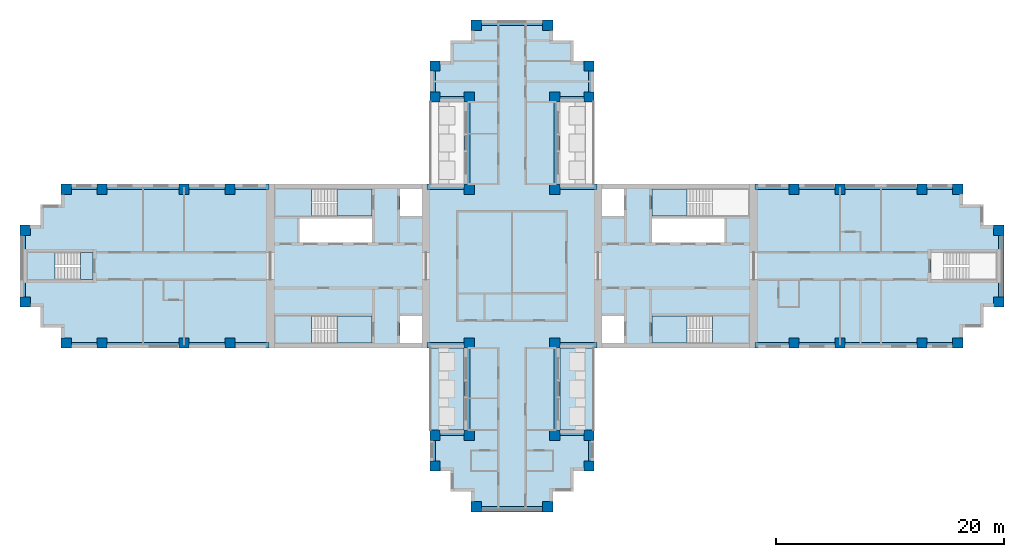
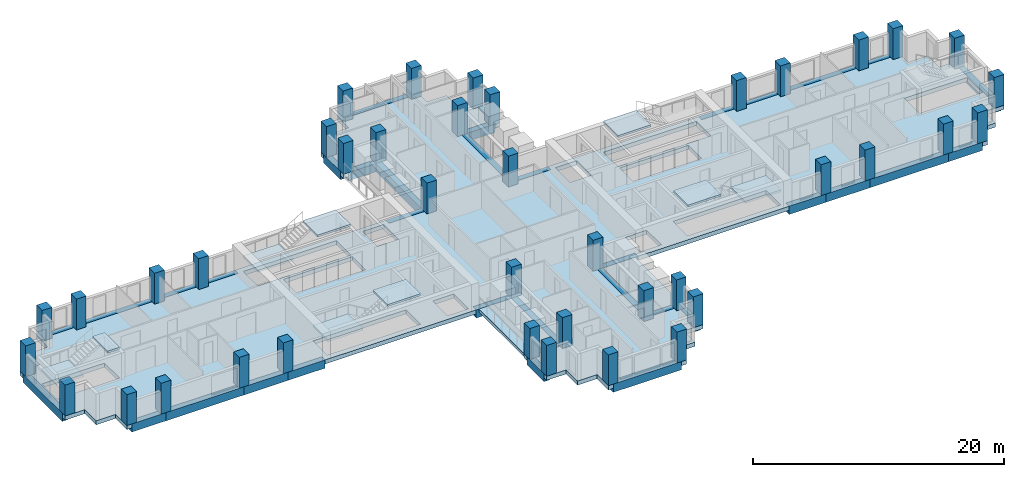
# One storey, part 1 of 12: 40 columns, 36 beams, 12 slabs, 5 elements without a shape of their own.
"""IFC4 building model written with IfcOpenShell, lengths in metres."""

from ifc_helpers import new_model, si_unit, direction, frame, origin, origin_2d, place, context, subcontext, project, spatial, polyline, rectangle, outline, extrude, material, layer, layer_set, material_profile, profile_set, type_object, element, aggregate, save


model = new_model("IFC4")

# Units and contexts
model_context = context("Model", 3, precision=1e-05, world=origin(), true_north=direction((0.0, 1.0)))
body_context = subcontext(model_context, "Body", "Model", "MODEL_VIEW")
ifc_project = project(units=[si_unit("LENGTHUNIT", "METRE"), si_unit("AREAUNIT", "SQUARE_METRE"), si_unit("VOLUMEUNIT", "CUBIC_METRE"), si_unit("PLANEANGLEUNIT", "RADIAN"), si_unit("MASSUNIT", "GRAM", prefix="KILO")], contexts=[model_context])

# Site, building, storey
site_placement = place(None, origin())
site = spatial("IfcSite", under=ifc_project, at=site_placement, CompositionType="ELEMENT")
building_placement = place(site_placement, origin())
building = spatial("IfcBuilding", under=site, at=building_placement, Name="Fustian Cross Tower", CompositionType="ELEMENT")
storey_placement = place(building_placement, frame((0.0, 0.0, 156.300048828125)))
storey = spatial("IfcBuildingStorey", under=building, at=storey_placement, Name="L49", CompositionType="ELEMENT", Elevation=156.300048828125)

# Columns
ifc_material_1 = material(Name="Concrete C50/60", Category="concrete")
ifc_material_profile_1 = material_profile(ifc_material_1, rectangle(XDim=0.89990234375, YDim=0.89990234375, at=origin_2d()), Name="RC 900x900")
ifc_profile_set_1 = profile_set([ifc_material_profile_1], Name="Concrete C50/60")
column_type = type_object("IfcColumnType", Name="COLUMN RC 900x900 C50/60", PredefinedType="COLUMN", material=ifc_profile_set_1)
for number, where, z_axis, x_axis, name in (
    (1, (-42.75, -3.14990234375, 0.0), (0.0, 0.0, 1.0), (1.0, 0.0, 0.0), "COLUMN 001"),
    (2, (-42.75, 3.14990234375, 0.0), (0.0, 0.0, 1.0), (1.0, 0.0, 0.0), "COLUMN 002"),
    (3, (-39.14990234375, -6.75, 0.0), (0.0, 0.0, 1.0), (1.0, 0.0, 0.0), "COLUMN 003"),
    (4, (-39.14990234375, 6.75, 0.0), (0.0, 0.0, 1.0), (1.0, 0.0, 0.0), "COLUMN 004"),
    (5, (-36.0, -6.75, 0.0), (0.0, 0.0, 1.0), (1.0, 0.0, 0.0), "COLUMN 005"),
    (6, (-36.0, 6.75, 0.0), (0.0, 0.0, 1.0), (1.0, 0.0, 0.0), "COLUMN 006"),
    (7, (-28.800048828125, -6.75, 0.0), (0.0, 0.0, 1.0), (1.0, 0.0, 0.0), "COLUMN 007"),
    (8, (-28.800048828125, 6.75, 0.0), (0.0, 0.0, 1.0), (1.0, 0.0, 0.0), "COLUMN 010"),
    (9, (-24.75, -6.75, 0.0), (0.0, 0.0, 1.0), (1.0, 0.0, 0.0), "COLUMN 011"),
    (10, (-24.75, 6.75, 0.0), (0.0, 0.0, 1.0), (1.0, 0.0, 0.0), "COLUMN 012"),
    (11, (-6.75, -17.550048828125, 0.0), (0.0, 0.0, 1.0), (1.0, 0.0, 0.0), "COLUMN 017"),
    (12, (-6.75, -14.85009765625, 0.0), (0.0, 0.0, 1.0), (1.0, 0.0, 0.0), "COLUMN 018"),
    (13, (-6.75, 14.85009765625, 0.0), (0.0, 0.0, 1.0), (1.0, 0.0, 0.0), "COLUMN 019"),
    (14, (-6.75, 17.550048828125, 0.0), (0.0, 0.0, 1.0), (1.0, 0.0, 0.0), "COLUMN 020"),
    (15, (-3.75, -14.85009765625, 0.0), (0.0, 0.0, 1.0), (1.0, 0.0, 0.0), "COLUMN 025"),
    (16, (-3.75, -6.75, 0.0), (0.0, 0.0, 1.0), (1.0, 0.0, 0.0), "COLUMN 026"),
    (17, (-3.75, 6.75, 0.0), (0.0, 0.0, 1.0), (1.0, 0.0, 0.0), "COLUMN 027"),
    (18, (-3.75, 14.85009765625, 0.0), (0.0, 0.0, 1.0), (1.0, 0.0, 0.0), "COLUMN 028"),
    (19, (-3.14990234375, -21.14990234375, 0.0), (0.0, 0.0, 1.0), (1.0, 0.0, 0.0), "COLUMN 030"),
    (20, (-3.14990234375, 21.14990234375, 0.0), (0.0, 0.0, 1.0), (1.0, 0.0, 0.0), "COLUMN 031"),
    (21, (3.14990234375, -21.14990234375, 0.0), (0.0, 0.0, 1.0), (1.0, 0.0, 0.0), "COLUMN 034"),
    (22, (3.14990234375, 21.14990234375, 0.0), (0.0, 0.0, 1.0), (1.0, 0.0, 0.0), "COLUMN 035"),
    (23, (3.75, -14.85009765625, 0.0), (0.0, 0.0, 1.0), (1.0, 0.0, 0.0), "COLUMN 037"),
    (24, (3.75, -6.75, 0.0), (0.0, 0.0, 1.0), (1.0, 0.0, 0.0), "COLUMN 038"),
    (25, (3.75, 6.75, 0.0), (0.0, 0.0, 1.0), (1.0, 0.0, 0.0), "COLUMN 039"),
    (26, (3.75, 14.85009765625, 0.0), (0.0, 0.0, 1.0), (1.0, 0.0, 0.0), "COLUMN 040"),
    (27, (6.75, -17.550048828125, 0.0), (0.0, 0.0, 1.0), (1.0, 0.0, 0.0), "COLUMN 045"),
    (28, (6.75, -14.85009765625, 0.0), (0.0, 0.0, 1.0), (1.0, 0.0, 0.0), "COLUMN 046"),
    (29, (6.75, 14.85009765625, 0.0), (0.0, 0.0, 1.0), (1.0, 0.0, 0.0), "COLUMN 047"),
    (30, (6.75, 17.550048828125, 0.0), (0.0, 0.0, 1.0), (1.0, 0.0, 0.0), "COLUMN 048"),
    (31, (24.75, -6.75, 0.0), (0.0, 0.0, 1.0), (1.0, 0.0, 0.0), "COLUMN 053"),
    (32, (24.75, 6.75, 0.0), (0.0, 0.0, 1.0), (1.0, 0.0, 0.0), "COLUMN 054"),
    (33, (28.800048828125, -6.75, 0.0), (0.0, 0.0, 1.0), (1.0, 0.0, 0.0), "COLUMN 055"),
    (34, (28.800048828125, 6.75, 0.0), (0.0, 0.0, 1.0), (1.0, 0.0, 0.0), "COLUMN 058"),
    (35, (36.0, -6.75, 0.0), (0.0, 0.0, 1.0), (1.0, 0.0, 0.0), "COLUMN 059"),
    (36, (36.0, 6.75, 0.0), (0.0, 0.0, 1.0), (1.0, 0.0, 0.0), "COLUMN 060"),
    (37, (39.14990234375, -6.75, 0.0), (0.0, 0.0, 1.0), (1.0, 0.0, 0.0), "COLUMN 061"),
    (38, (39.14990234375, 6.75, 0.0), (0.0, 0.0, 1.0), (1.0, 0.0, 0.0), "COLUMN 062"),
    (39, (42.75, -3.14990234375, 0.0), (0.0, 0.0, 1.0), (1.0, 0.0, 0.0), "COLUMN 063"),
    (40, (42.75, 3.14990234375, 0.0), (0.0, 0.0, 1.0), (1.0, 0.0, 0.0), "COLUMN 064"),
):
    element("IfcColumn", number, at=place(storey_placement, frame(where, z_axis=z_axis, x_axis=x_axis)), inside=storey, type_object=column_type, Name=name, PredefinedType="COLUMN", context=body_context, shape_type="SweptSolid", body=[
        extrude(rectangle(XDim=0.89990234375, YDim=0.89990234375, at=origin_2d()), origin(), (0.0, 0.0, 1.0), 3.0),
    ])

# Beams
ifc_material_2 = material(Name="Concrete C50/60", Category="concrete")
ifc_material_profile_2 = material_profile(ifc_material_2, rectangle(XDim=0.5, YDim=0.800048828125, at=origin_2d()), Name="RC 500x800")
ifc_profile_set_2 = profile_set([ifc_material_profile_2], Name="Concrete C50/60")
beam_type = type_object("IfcBeamType", Name="EDGE BEAM RC 500x800 C50/60", PredefinedType="SPANDREL", material=ifc_profile_set_2)
beam_1_placement = place(storey_placement, frame((21.35009765625, -6.949951171875, -0.400146484375), z_axis=(1.0, 0.0, 0.0), x_axis=(0.0, 1.0, 0.0)))
element("IfcBeam", 41, at=beam_1_placement, inside=storey, type_object=beam_type, Name="EDGE BEAM L49-01", PredefinedType="SPANDREL", context=body_context, shape_type="SweptSolid", body=[
    extrude(rectangle(XDim=0.5, YDim=0.800048828125, at=origin_2d()), origin(), (0.0, 0.0, 1.0), 3.39990234375),
])
beam_2_placement = place(storey_placement, frame((24.75, -6.949951171875, -0.400146484375), z_axis=(1.0, 0.0, 0.0), x_axis=(0.0, 1.0, 0.0)))
element("IfcBeam", 42, at=beam_2_placement, inside=storey, type_object=beam_type, Name="EDGE BEAM L49-02", PredefinedType="SPANDREL", context=body_context, shape_type="SweptSolid", body=[
    extrude(rectangle(XDim=0.5, YDim=0.800048828125, at=origin_2d()), origin(), (0.0, 0.0, 1.0), 4.050048828125),
])
beam_3_placement = place(storey_placement, frame((28.800048828125, -6.949951171875, -0.400146484375), z_axis=(1.0, 0.0, 0.0), x_axis=(0.0, 1.0, 0.0)))
element("IfcBeam", 43, at=beam_3_placement, inside=storey, type_object=beam_type, Name="EDGE BEAM L49-03", PredefinedType="SPANDREL", context=body_context, shape_type="SweptSolid", body=[
    extrude(rectangle(XDim=0.5, YDim=0.800048828125, at=origin_2d()), origin(), (0.0, 0.0, 1.0), 7.199951171875),
])
beam_4_placement = place(storey_placement, frame((36.0, -6.949951171875, -0.400146484375), z_axis=(1.0, 0.0, 0.0), x_axis=(0.0, 1.0, 0.0)))
element("IfcBeam", 44, at=beam_4_placement, inside=storey, type_object=beam_type, Name="EDGE BEAM L49-04", PredefinedType="SPANDREL", context=body_context, shape_type="SweptSolid", body=[
    extrude(rectangle(XDim=0.5, YDim=0.800048828125, at=origin_2d()), origin(), (0.0, 0.0, 1.0), 3.14990234375),
])
beam_5_placement = place(storey_placement, frame((42.949951171875, -3.14990234375, -0.400146484375), z_axis=(0.0, 1.0, 0.0), x_axis=(-1.0, 0.0, 0.0)))
element("IfcBeam", 45, at=beam_5_placement, inside=storey, type_object=beam_type, Name="EDGE BEAM L49-05", PredefinedType="SPANDREL", context=body_context, shape_type="SweptSolid", body=[
    extrude(rectangle(XDim=0.5, YDim=0.800048828125, at=origin_2d()), origin(), (0.0, 0.0, 1.0), 6.2998046875),
])
beam_6_placement = place(storey_placement, frame((39.14990234375, 6.949951171875, -0.400146484375), z_axis=(-1.0, 0.0, 0.0), x_axis=(0.0, -1.0, 0.0)))
element("IfcBeam", 46, at=beam_6_placement, inside=storey, type_object=beam_type, Name="EDGE BEAM L49-06", PredefinedType="SPANDREL", context=body_context, shape_type="SweptSolid", body=[
    extrude(rectangle(XDim=0.5, YDim=0.800048828125, at=origin_2d()), origin(), (0.0, 0.0, 1.0), 3.14990234375),
])
beam_7_placement = place(storey_placement, frame((36.0, 6.949951171875, -0.400146484375), z_axis=(-1.0, 0.0, 0.0), x_axis=(0.0, -1.0, 0.0)))
element("IfcBeam", 47, at=beam_7_placement, inside=storey, type_object=beam_type, Name="EDGE BEAM L49-07", PredefinedType="SPANDREL", context=body_context, shape_type="SweptSolid", body=[
    extrude(rectangle(XDim=0.5, YDim=0.800048828125, at=origin_2d()), origin(), (0.0, 0.0, 1.0), 7.199951171875),
])
beam_8_placement = place(storey_placement, frame((28.800048828125, 6.949951171875, -0.400146484375), z_axis=(-1.0, 0.0, 0.0), x_axis=(0.0, -1.0, 0.0)))
element("IfcBeam", 48, at=beam_8_placement, inside=storey, type_object=beam_type, Name="EDGE BEAM L49-08", PredefinedType="SPANDREL", context=body_context, shape_type="SweptSolid", body=[
    extrude(rectangle(XDim=0.5, YDim=0.800048828125, at=origin_2d()), origin(), (0.0, 0.0, 1.0), 4.050048828125),
])
beam_9_placement = place(storey_placement, frame((24.75, 6.949951171875, -0.400146484375), z_axis=(-1.0, 0.0, 0.0), x_axis=(0.0, -1.0, 0.0)))
element("IfcBeam", 49, at=beam_9_placement, inside=storey, type_object=beam_type, Name="EDGE BEAM L49-09", PredefinedType="SPANDREL", context=body_context, shape_type="SweptSolid", body=[
    extrude(rectangle(XDim=0.5, YDim=0.800048828125, at=origin_2d()), origin(), (0.0, 0.0, 1.0), 3.39990234375),
])
beam_10_placement = place(storey_placement, frame((7.449951171875, 6.949951171875, -0.400146484375), z_axis=(-1.0, 0.0, 0.0), x_axis=(0.0, -1.0, 0.0)))
element("IfcBeam", 50, at=beam_10_placement, inside=storey, type_object=beam_type, Name="EDGE BEAM L49-10", PredefinedType="SPANDREL", context=body_context, shape_type="SweptSolid", body=[
    extrude(rectangle(XDim=0.5, YDim=0.800048828125, at=origin_2d()), origin(), (0.0, 0.0, 1.0), 3.699951171875),
])
beam_11_placement = place(storey_placement, frame((3.949951171875, 6.75, -0.400146484375), z_axis=(0.0, 1.0, 0.0), x_axis=(-1.0, 0.0, 0.0)))
element("IfcBeam", 51, at=beam_11_placement, inside=storey, type_object=beam_type, Name="EDGE BEAM L49-11", PredefinedType="SPANDREL", context=body_context, shape_type="SweptSolid", body=[
    extrude(rectangle(XDim=0.5, YDim=0.800048828125, at=origin_2d()), origin(), (0.0, 0.0, 1.0), 8.10009765625),
])
beam_12_placement = place(storey_placement, frame((3.75, 14.64990234375, -0.400146484375), z_axis=(1.0, 0.0, 0.0), x_axis=(0.0, 1.0, 0.0)))
element("IfcBeam", 52, at=beam_12_placement, inside=storey, type_object=beam_type, Name="EDGE BEAM L49-12", PredefinedType="SPANDREL", context=body_context, shape_type="SweptSolid", body=[
    extrude(rectangle(XDim=0.5, YDim=0.800048828125, at=origin_2d()), origin(), (0.0, 0.0, 1.0), 3.0),
])
beam_13_placement = place(storey_placement, frame((6.949951171875, 14.85009765625, -0.400146484375), z_axis=(0.0, 1.0, 0.0), x_axis=(-1.0, 0.0, 0.0)))
element("IfcBeam", 53, at=beam_13_placement, inside=storey, type_object=beam_type, Name="EDGE BEAM L49-13", PredefinedType="SPANDREL", context=body_context, shape_type="SweptSolid", body=[
    extrude(rectangle(XDim=0.5, YDim=0.800048828125, at=origin_2d()), origin(), (0.0, 0.0, 1.0), 2.699951171875),
])
beam_14_placement = place(storey_placement, frame((3.14990234375, 21.35009765625, -0.400146484375), z_axis=(-1.0, 0.0, 0.0), x_axis=(0.0, -1.0, 0.0)))
element("IfcBeam", 54, at=beam_14_placement, inside=storey, type_object=beam_type, Name="EDGE BEAM L49-14", PredefinedType="SPANDREL", context=body_context, shape_type="SweptSolid", body=[
    extrude(rectangle(XDim=0.5, YDim=0.800048828125, at=origin_2d()), origin(), (0.0, 0.0, 1.0), 6.2998046875),
])
beam_15_placement = place(storey_placement, frame((-6.949951171875, 17.550048828125, -0.400146484375), z_axis=(0.0, -1.0, 0.0), x_axis=(1.0, 0.0, 0.0)))
element("IfcBeam", 55, at=beam_15_placement, inside=storey, type_object=beam_type, Name="EDGE BEAM L49-15", PredefinedType="SPANDREL", context=body_context, shape_type="SweptSolid", body=[
    extrude(rectangle(XDim=0.5, YDim=0.800048828125, at=origin_2d()), origin(), (0.0, 0.0, 1.0), 2.699951171875),
])
beam_16_placement = place(storey_placement, frame((-6.75, 14.64990234375, -0.400146484375), z_axis=(1.0, 0.0, 0.0), x_axis=(0.0, 1.0, 0.0)))
element("IfcBeam", 56, at=beam_16_placement, inside=storey, type_object=beam_type, Name="EDGE BEAM L49-16", PredefinedType="SPANDREL", context=body_context, shape_type="SweptSolid", body=[
    extrude(rectangle(XDim=0.5, YDim=0.800048828125, at=origin_2d()), origin(), (0.0, 0.0, 1.0), 3.0),
])
beam_17_placement = place(storey_placement, frame((-3.949951171875, 14.85009765625, -0.400146484375), z_axis=(0.0, -1.0, 0.0), x_axis=(1.0, 0.0, 0.0)))
element("IfcBeam", 57, at=beam_17_placement, inside=storey, type_object=beam_type, Name="EDGE BEAM L49-17", PredefinedType="SPANDREL", context=body_context, shape_type="SweptSolid", body=[
    extrude(rectangle(XDim=0.5, YDim=0.800048828125, at=origin_2d()), origin(), (0.0, 0.0, 1.0), 8.10009765625),
])
beam_18_placement = place(storey_placement, frame((-3.75, 6.949951171875, -0.400146484375), z_axis=(-1.0, 0.0, 0.0), x_axis=(0.0, -1.0, 0.0)))
element("IfcBeam", 58, at=beam_18_placement, inside=storey, type_object=beam_type, Name="EDGE BEAM L49-18", PredefinedType="SPANDREL", context=body_context, shape_type="SweptSolid", body=[
    extrude(rectangle(XDim=0.5, YDim=0.800048828125, at=origin_2d()), origin(), (0.0, 0.0, 1.0), 3.699951171875),
])
beam_19_placement = place(storey_placement, frame((-21.35009765625, 6.949951171875, -0.400146484375), z_axis=(-1.0, 0.0, 0.0), x_axis=(0.0, -1.0, 0.0)))
element("IfcBeam", 59, at=beam_19_placement, inside=storey, type_object=beam_type, Name="EDGE BEAM L49-19", PredefinedType="SPANDREL", context=body_context, shape_type="SweptSolid", body=[
    extrude(rectangle(XDim=0.5, YDim=0.800048828125, at=origin_2d()), origin(), (0.0, 0.0, 1.0), 3.39990234375),
])
beam_20_placement = place(storey_placement, frame((-24.75, 6.949951171875, -0.400146484375), z_axis=(-1.0, 0.0, 0.0), x_axis=(0.0, -1.0, 0.0)))
element("IfcBeam", 60, at=beam_20_placement, inside=storey, type_object=beam_type, Name="EDGE BEAM L49-20", PredefinedType="SPANDREL", context=body_context, shape_type="SweptSolid", body=[
    extrude(rectangle(XDim=0.5, YDim=0.800048828125, at=origin_2d()), origin(), (0.0, 0.0, 1.0), 4.050048828125),
])
beam_21_placement = place(storey_placement, frame((-28.800048828125, 6.949951171875, -0.400146484375), z_axis=(-1.0, 0.0, 0.0), x_axis=(0.0, -1.0, 0.0)))
element("IfcBeam", 61, at=beam_21_placement, inside=storey, type_object=beam_type, Name="EDGE BEAM L49-21", PredefinedType="SPANDREL", context=body_context, shape_type="SweptSolid", body=[
    extrude(rectangle(XDim=0.5, YDim=0.800048828125, at=origin_2d()), origin(), (0.0, 0.0, 1.0), 7.199951171875),
])
beam_22_placement = place(storey_placement, frame((-36.0, 6.949951171875, -0.400146484375), z_axis=(-1.0, 0.0, 0.0), x_axis=(0.0, -1.0, 0.0)))
element("IfcBeam", 62, at=beam_22_placement, inside=storey, type_object=beam_type, Name="EDGE BEAM L49-22", PredefinedType="SPANDREL", context=body_context, shape_type="SweptSolid", body=[
    extrude(rectangle(XDim=0.5, YDim=0.800048828125, at=origin_2d()), origin(), (0.0, 0.0, 1.0), 3.14990234375),
])
beam_23_placement = place(storey_placement, frame((-42.949951171875, 3.14990234375, -0.400146484375), z_axis=(0.0, -1.0, 0.0), x_axis=(1.0, 0.0, 0.0)))
element("IfcBeam", 63, at=beam_23_placement, inside=storey, type_object=beam_type, Name="EDGE BEAM L49-23", PredefinedType="SPANDREL", context=body_context, shape_type="SweptSolid", body=[
    extrude(rectangle(XDim=0.5, YDim=0.800048828125, at=origin_2d()), origin(), (0.0, 0.0, 1.0), 6.2998046875),
])
beam_24_placement = place(storey_placement, frame((-39.14990234375, -6.949951171875, -0.400146484375), z_axis=(1.0, 0.0, 0.0), x_axis=(0.0, 1.0, 0.0)))
element("IfcBeam", 64, at=beam_24_placement, inside=storey, type_object=beam_type, Name="EDGE BEAM L49-24", PredefinedType="SPANDREL", context=body_context, shape_type="SweptSolid", body=[
    extrude(rectangle(XDim=0.5, YDim=0.800048828125, at=origin_2d()), origin(), (0.0, 0.0, 1.0), 3.14990234375),
])
beam_25_placement = place(storey_placement, frame((-36.0, -6.949951171875, -0.400146484375), z_axis=(1.0, 0.0, 0.0), x_axis=(0.0, 1.0, 0.0)))
element("IfcBeam", 65, at=beam_25_placement, inside=storey, type_object=beam_type, Name="EDGE BEAM L49-25", PredefinedType="SPANDREL", context=body_context, shape_type="SweptSolid", body=[
    extrude(rectangle(XDim=0.5, YDim=0.800048828125, at=origin_2d()), origin(), (0.0, 0.0, 1.0), 7.199951171875),
])
beam_26_placement = place(storey_placement, frame((-28.800048828125, -6.949951171875, -0.400146484375), z_axis=(1.0, 0.0, 0.0), x_axis=(0.0, 1.0, 0.0)))
element("IfcBeam", 66, at=beam_26_placement, inside=storey, type_object=beam_type, Name="EDGE BEAM L49-26", PredefinedType="SPANDREL", context=body_context, shape_type="SweptSolid", body=[
    extrude(rectangle(XDim=0.5, YDim=0.800048828125, at=origin_2d()), origin(), (0.0, 0.0, 1.0), 4.050048828125),
])
beam_27_placement = place(storey_placement, frame((-24.75, -6.949951171875, -0.400146484375), z_axis=(1.0, 0.0, 0.0), x_axis=(0.0, 1.0, 0.0)))
element("IfcBeam", 67, at=beam_27_placement, inside=storey, type_object=beam_type, Name="EDGE BEAM L49-27", PredefinedType="SPANDREL", context=body_context, shape_type="SweptSolid", body=[
    extrude(rectangle(XDim=0.5, YDim=0.800048828125, at=origin_2d()), origin(), (0.0, 0.0, 1.0), 3.39990234375),
])
beam_28_placement = place(storey_placement, frame((-7.449951171875, -6.949951171875, -0.400146484375), z_axis=(1.0, 0.0, 0.0), x_axis=(0.0, 1.0, 0.0)))
element("IfcBeam", 68, at=beam_28_placement, inside=storey, type_object=beam_type, Name="EDGE BEAM L49-28", PredefinedType="SPANDREL", context=body_context, shape_type="SweptSolid", body=[
    extrude(rectangle(XDim=0.5, YDim=0.800048828125, at=origin_2d()), origin(), (0.0, 0.0, 1.0), 3.699951171875),
])
beam_29_placement = place(storey_placement, frame((-3.949951171875, -6.75, -0.400146484375), z_axis=(0.0, -1.0, 0.0), x_axis=(1.0, 0.0, 0.0)))
element("IfcBeam", 69, at=beam_29_placement, inside=storey, type_object=beam_type, Name="EDGE BEAM L49-29", PredefinedType="SPANDREL", context=body_context, shape_type="SweptSolid", body=[
    extrude(rectangle(XDim=0.5, YDim=0.800048828125, at=origin_2d()), origin(), (0.0, 0.0, 1.0), 8.10009765625),
])
beam_30_placement = place(storey_placement, frame((-3.75, -14.64990234375, -0.400146484375), z_axis=(-1.0, 0.0, 0.0), x_axis=(0.0, -1.0, 0.0)))
element("IfcBeam", 70, at=beam_30_placement, inside=storey, type_object=beam_type, Name="EDGE BEAM L49-30", PredefinedType="SPANDREL", context=body_context, shape_type="SweptSolid", body=[
    extrude(rectangle(XDim=0.5, YDim=0.800048828125, at=origin_2d()), origin(), (0.0, 0.0, 1.0), 3.0),
])
beam_31_placement = place(storey_placement, frame((-6.949951171875, -14.85009765625, -0.400146484375), z_axis=(0.0, -1.0, 0.0), x_axis=(1.0, 0.0, 0.0)))
element("IfcBeam", 71, at=beam_31_placement, inside=storey, type_object=beam_type, Name="EDGE BEAM L49-31", PredefinedType="SPANDREL", context=body_context, shape_type="SweptSolid", body=[
    extrude(rectangle(XDim=0.5, YDim=0.800048828125, at=origin_2d()), origin(), (0.0, 0.0, 1.0), 2.699951171875),
])
beam_32_placement = place(storey_placement, frame((-3.14990234375, -21.35009765625, -0.400146484375), z_axis=(1.0, 0.0, 0.0), x_axis=(0.0, 1.0, 0.0)))
element("IfcBeam", 72, at=beam_32_placement, inside=storey, type_object=beam_type, Name="EDGE BEAM L49-32", PredefinedType="SPANDREL", context=body_context, shape_type="SweptSolid", body=[
    extrude(rectangle(XDim=0.5, YDim=0.800048828125, at=origin_2d()), origin(), (0.0, 0.0, 1.0), 6.2998046875),
])
beam_33_placement = place(storey_placement, frame((6.949951171875, -17.550048828125, -0.400146484375), z_axis=(0.0, 1.0, 0.0), x_axis=(-1.0, 0.0, 0.0)))
element("IfcBeam", 73, at=beam_33_placement, inside=storey, type_object=beam_type, Name="EDGE BEAM L49-33", PredefinedType="SPANDREL", context=body_context, shape_type="SweptSolid", body=[
    extrude(rectangle(XDim=0.5, YDim=0.800048828125, at=origin_2d()), origin(), (0.0, 0.0, 1.0), 2.699951171875),
])
beam_34_placement = place(storey_placement, frame((6.75, -14.64990234375, -0.400146484375), z_axis=(-1.0, 0.0, 0.0), x_axis=(0.0, -1.0, 0.0)))
element("IfcBeam", 74, at=beam_34_placement, inside=storey, type_object=beam_type, Name="EDGE BEAM L49-34", PredefinedType="SPANDREL", context=body_context, shape_type="SweptSolid", body=[
    extrude(rectangle(XDim=0.5, YDim=0.800048828125, at=origin_2d()), origin(), (0.0, 0.0, 1.0), 3.0),
])
beam_35_placement = place(storey_placement, frame((3.949951171875, -14.85009765625, -0.400146484375), z_axis=(0.0, 1.0, 0.0), x_axis=(-1.0, 0.0, 0.0)))
element("IfcBeam", 75, at=beam_35_placement, inside=storey, type_object=beam_type, Name="EDGE BEAM L49-35", PredefinedType="SPANDREL", context=body_context, shape_type="SweptSolid", body=[
    extrude(rectangle(XDim=0.5, YDim=0.800048828125, at=origin_2d()), origin(), (0.0, 0.0, 1.0), 8.10009765625),
])
beam_36_placement = place(storey_placement, frame((3.75, -6.949951171875, -0.400146484375), z_axis=(1.0, 0.0, 0.0), x_axis=(0.0, 1.0, 0.0)))
element("IfcBeam", 76, at=beam_36_placement, inside=storey, type_object=beam_type, Name="EDGE BEAM L49-36", PredefinedType="SPANDREL", context=body_context, shape_type="SweptSolid", body=[
    extrude(rectangle(XDim=0.5, YDim=0.800048828125, at=origin_2d()), origin(), (0.0, 0.0, 1.0), 3.699951171875),
])

# Slabs
ifc_material_3 = material(Name="Concrete C40/50", Category="concrete")
ifc_layer_1 = layer(ifc_material_3, 0.300048828125)
ifc_layer_set_1 = layer_set([ifc_layer_1], Name="Concrete C40/50")
slab_type_1 = type_object("IfcSlabType", Name="BS1 BALCONY SLAB 300", PredefinedType="FLOOR", material=ifc_layer_set_1)
slab_1_placement = place(storey_placement, frame((0.0, 0.0, -0.300048828125)))
element("IfcSlab", 77, at=slab_1_placement, inside=storey, type_object=slab_type_1, Name="Balcony slab", PredefinedType="FLOOR", context=body_context, shape_type="SweptSolid", body=[
    extrude(outline(polyline([(4.199951171875, -14.39990234375), (7.199951171875, -14.39990234375), (7.199951171875, -7.199951171875), (4.199951171875, -7.199951171875), (4.199951171875, -14.39990234375)])), origin(), (0.0, 0.0, 1.0), 0.300048828125),
])
slab_2_placement = place(storey_placement, frame((0.0, 0.0, -0.300048828125)))
element("IfcSlab", 78, at=slab_2_placement, inside=storey, type_object=slab_type_1, Name="Balcony slab", PredefinedType="FLOOR", context=body_context, shape_type="SweptSolid", body=[
    extrude(outline(polyline([(-7.199951171875, -14.39990234375), (-4.199951171875, -14.39990234375), (-4.199951171875, -7.199951171875), (-7.199951171875, -7.199951171875), (-7.199951171875, -14.39990234375)])), origin(), (0.0, 0.0, 1.0), 0.300048828125),
])
ifc_material_4 = material(Name="Concrete C40/50", Category="concrete")
ifc_layer_2 = layer(ifc_material_4, 0.39990234375)
ifc_layer_set_2 = layer_set([ifc_layer_2], Name="Concrete C40/50")
slab_type_2 = type_object("IfcSlabType", Name="FLAT SLAB 400", PredefinedType="FLOOR", material=ifc_layer_set_2)
slab_3_placement = place(storey_placement, frame((0.0, 0.0, -0.400146484375)))
element("IfcSlab", 79, at=slab_3_placement, inside=storey, type_object=slab_type_2, Name="FLOOR SLAB L49-1", PredefinedType="FLOOR", context=body_context, shape_type="SweptSolid", body=[
    extrude(outline(polyline([(-5.39990234375, -18.0), (-7.199951171875, -18.0), (-7.199951171875, -14.39990234375), (-4.199951171875, -14.39990234375), (-4.199951171875, -7.199951171875), (-39.60009765625, -7.199951171875), (-39.60009765625, -5.39990234375), (-41.39990234375, -5.39990234375), (-41.39990234375, -3.60009765625), (-43.199951171875, -3.60009765625), (-43.199951171875, 3.60009765625), (-41.39990234375, 3.60009765625), (-41.39990234375, 5.39990234375), (-39.60009765625, 5.39990234375), (-39.60009765625, 7.199951171875), (-4.199951171875, 7.199951171875), (-4.199951171875, 14.39990234375), (-7.199951171875, 14.39990234375), (-7.199951171875, 18.0), (-5.39990234375, 18.0), (-5.39990234375, 19.800048828125), (-3.60009765625, 19.800048828125), (-3.60009765625, 21.60009765625), (3.60009765625, 21.60009765625), (3.60009765625, 19.800048828125), (5.39990234375, 19.800048828125), (5.39990234375, 18.0), (7.199951171875, 18.0), (7.199951171875, 14.39990234375), (4.199951171875, 14.39990234375), (4.199951171875, 7.199951171875), (39.60009765625, 7.199951171875), (39.60009765625, 5.39990234375), (41.39990234375, 5.39990234375), (41.39990234375, 3.60009765625), (43.199951171875, 3.60009765625), (43.199951171875, -3.60009765625), (41.39990234375, -3.60009765625), (41.39990234375, -5.39990234375), (39.60009765625, -5.39990234375), (39.60009765625, -7.199951171875), (4.199951171875, -7.199951171875), (4.199951171875, -14.39990234375), (7.199951171875, -14.39990234375), (7.199951171875, -18.0), (5.39990234375, -18.0), (5.39990234375, -19.800048828125), (3.60009765625, -19.800048828125), (3.60009765625, -21.60009765625), (-3.60009765625, -21.60009765625), (-3.60009765625, -19.800048828125), (-5.39990234375, -19.800048828125), (-5.39990234375, -18.0)]), holes=[polyline([(9.85009765625, 4.39990234375), (9.85009765625, 6.75), (7.89990234375, 6.75), (7.89990234375, 4.39990234375), (9.85009765625, 4.39990234375)]), polyline([(7.89990234375, -6.75), (9.85009765625, -6.75), (9.85009765625, -4.39990234375), (7.89990234375, -4.39990234375), (7.89990234375, -6.75)]), polyline([(-9.85009765625, 6.75), (-9.85009765625, 4.39990234375), (-7.89990234375, 4.39990234375), (-7.89990234375, 6.75), (-9.85009765625, 6.75)]), polyline([(-7.89990234375, -4.39990234375), (-9.85009765625, -4.39990234375), (-9.85009765625, -6.75), (-7.89990234375, -6.75), (-7.89990234375, -4.39990234375)]), polyline([(18.64990234375, 2.050048828125), (18.64990234375, 4.14990234375), (12.300048828125, 4.14990234375), (12.300048828125, 2.050048828125), (18.64990234375, 2.050048828125)]), polyline([(-18.64990234375, 2.050048828125), (-12.300048828125, 2.050048828125), (-12.300048828125, 4.14990234375), (-18.64990234375, 4.14990234375), (-18.64990234375, 2.050048828125)]), polyline([(12.300048828125, 6.699951171875), (12.300048828125, 4.39990234375), (20.85009765625, 4.39990234375), (20.85009765625, 6.699951171875), (12.300048828125, 6.699951171875)]), polyline([(20.85009765625, -4.39990234375), (12.300048828125, -4.39990234375), (12.300048828125, -6.699951171875), (20.85009765625, -6.699951171875), (20.85009765625, -4.39990234375)]), polyline([(-12.300048828125, 4.39990234375), (-12.300048828125, 6.699951171875), (-20.85009765625, 6.699951171875), (-20.85009765625, 4.39990234375), (-12.300048828125, 4.39990234375)]), polyline([(-20.85009765625, -6.699951171875), (-12.300048828125, -6.699951171875), (-12.300048828125, -4.39990234375), (-20.85009765625, -4.39990234375), (-20.85009765625, -6.699951171875)]), polyline([(36.800048828125, 1.199951171875), (36.800048828125, -1.199951171875), (42.60009765625, -1.199951171875), (42.60009765625, 1.199951171875), (36.800048828125, 1.199951171875)]), polyline([(-36.800048828125, 1.199951171875), (-42.60009765625, 1.199951171875), (-42.60009765625, -1.199951171875), (-36.800048828125, -1.199951171875), (-36.800048828125, 1.199951171875)])]), origin(), (0.0, 0.0, 1.0), 0.400146484375),
])

# Stair, slab
ifc_material_5 = material(Name="Concrete C50/60", Category="concrete")
stair_type_1 = type_object("IfcStairType", Name="STAIR 1150 HALF TURN", PredefinedType="HALF_TURN_STAIR", material=ifc_material_5)
stair_1_placement = place(storey_placement, origin())
stair_1 = element("IfcStair", 80, at=stair_1_placement, inside=storey, type_object=stair_type_1, Name="Stair ST1", PredefinedType="HALF_TURN_STAIR")
ifc_material_6 = material(Name="Concrete C50/60", Category="concrete")
ifc_layer_3 = layer(ifc_material_6, 0.199951171875)
ifc_layer_set_3 = layer_set([ifc_layer_3], Name="Concrete C50/60")
slab_type_3 = type_object("IfcSlabType", Name="STAIR LANDING", PredefinedType="LANDING", material=ifc_layer_set_3)
slab_4_placement = place(storey_placement, frame((0.0, 0.0, 2.800048828125)))
slab_4 = element("IfcSlab", 81, at=slab_4_placement, type_object=slab_type_3, Name="ST1 landing 2", PredefinedType="LANDING", context=body_context, shape_type="SweptSolid", body=[
    extrude(outline(polyline([(12.300048828125, 4.39990234375), (15.35009765625, 4.39990234375), (15.35009765625, 6.75), (12.300048828125, 6.75), (12.300048828125, 4.39990234375)])), origin(), (0.0, 0.0, 1.0), 0.199951171875),
])
aggregate(stair_1, [slab_4])

# Stair, slabs
stair_2_placement = place(storey_placement, origin())
stair_2 = element("IfcStair", 82, at=stair_2_placement, inside=storey, type_object=stair_type_1, Name="Stair ST2", PredefinedType="HALF_TURN_STAIR")
slab_5_placement = place(storey_placement, frame((0.0, 0.0, 1.300048828125)))
slab_5 = element("IfcSlab", 83, at=slab_5_placement, type_object=slab_type_3, Name="ST2 landing 1", PredefinedType="LANDING", context=body_context, shape_type="SweptSolid", body=[
    extrude(outline(polyline([(17.590087890625, -4.39990234375), (20.85009765625, -4.39990234375), (20.85009765625, -6.75), (17.590087890625, -6.75), (17.590087890625, -4.39990234375)])), origin(), (0.0, 0.0, 1.0), 0.199951171875),
])
slab_6_placement = place(storey_placement, frame((0.0, 0.0, 2.800048828125)))
slab_6 = element("IfcSlab", 84, at=slab_6_placement, type_object=slab_type_3, Name="ST2 landing 2", PredefinedType="LANDING", context=body_context, shape_type="SweptSolid", body=[
    extrude(outline(polyline([(12.300048828125, -4.39990234375), (15.35009765625, -4.39990234375), (15.35009765625, -6.75), (12.300048828125, -6.75), (12.300048828125, -4.39990234375)])), origin(), (0.0, 0.0, 1.0), 0.199951171875),
])
aggregate(stair_2, [slab_5, slab_6])

stair_3_placement = place(storey_placement, origin())
stair_3 = element("IfcStair", 85, at=stair_3_placement, inside=storey, type_object=stair_type_1, Name="Stair ST3", PredefinedType="HALF_TURN_STAIR")
slab_7_placement = place(storey_placement, frame((0.0, 0.0, 1.300048828125)))
slab_7 = element("IfcSlab", 86, at=slab_7_placement, type_object=slab_type_3, Name="ST3 landing 1", PredefinedType="LANDING", context=body_context, shape_type="SweptSolid", body=[
    extrude(outline(polyline([(-17.590087890625, 4.39990234375), (-20.85009765625, 4.39990234375), (-20.85009765625, 6.75), (-17.590087890625, 6.75), (-17.590087890625, 4.39990234375)])), origin(), (0.0, 0.0, 1.0), 0.199951171875),
])
slab_8_placement = place(storey_placement, frame((0.0, 0.0, 2.800048828125)))
slab_8 = element("IfcSlab", 87, at=slab_8_placement, type_object=slab_type_3, Name="ST3 landing 2", PredefinedType="LANDING", context=body_context, shape_type="SweptSolid", body=[
    extrude(outline(polyline([(-12.300048828125, 4.39990234375), (-15.35009765625, 4.39990234375), (-15.35009765625, 6.75), (-12.300048828125, 6.75), (-12.300048828125, 4.39990234375)])), origin(), (0.0, 0.0, 1.0), 0.199951171875),
])
aggregate(stair_3, [slab_7, slab_8])

stair_4_placement = place(storey_placement, origin())
stair_4 = element("IfcStair", 88, at=stair_4_placement, inside=storey, type_object=stair_type_1, Name="Stair ST4", PredefinedType="HALF_TURN_STAIR")
slab_9_placement = place(storey_placement, frame((0.0, 0.0, 1.300048828125)))
slab_9 = element("IfcSlab", 89, at=slab_9_placement, type_object=slab_type_3, Name="ST4 landing 1", PredefinedType="LANDING", context=body_context, shape_type="SweptSolid", body=[
    extrude(outline(polyline([(-17.590087890625, -4.39990234375), (-20.85009765625, -4.39990234375), (-20.85009765625, -6.75), (-17.590087890625, -6.75), (-17.590087890625, -4.39990234375)])), origin(), (0.0, 0.0, 1.0), 0.199951171875),
])
slab_10_placement = place(storey_placement, frame((0.0, 0.0, 2.800048828125)))
slab_10 = element("IfcSlab", 90, at=slab_10_placement, type_object=slab_type_3, Name="ST4 landing 2", PredefinedType="LANDING", context=body_context, shape_type="SweptSolid", body=[
    extrude(outline(polyline([(-12.300048828125, -4.39990234375), (-15.35009765625, -4.39990234375), (-15.35009765625, -6.75), (-12.300048828125, -6.75), (-12.300048828125, -4.39990234375)])), origin(), (0.0, 0.0, 1.0), 0.199951171875),
])
aggregate(stair_4, [slab_9, slab_10])

ifc_material_7 = material(Name="Concrete C50/60", Category="concrete")
stair_type_2 = type_object("IfcStairType", Name="STAIR 1100 HALF TURN", PredefinedType="HALF_TURN_STAIR", material=ifc_material_7)
stair_5_placement = place(storey_placement, origin())
stair_5 = element("IfcStair", 91, at=stair_5_placement, inside=storey, type_object=stair_type_2, Name="Stair ST9", PredefinedType="HALF_TURN_STAIR")
slab_11_placement = place(storey_placement, frame((0.0, 0.0, 1.300048828125)))
slab_11 = element("IfcSlab", 92, at=slab_11_placement, type_object=slab_type_3, Name="ST9 landing 1", PredefinedType="LANDING", context=body_context, shape_type="SweptSolid", body=[
    extrude(outline(polyline([(-40.139892578125, -1.199951171875), (-42.60009765625, -1.199951171875), (-42.60009765625, 1.199951171875), (-40.139892578125, 1.199951171875), (-40.139892578125, -1.199951171875)])), origin(), (0.0, 0.0, 1.0), 0.199951171875),
])
slab_12_placement = place(storey_placement, frame((0.0, 0.0, 2.800048828125)))
slab_12 = element("IfcSlab", 93, at=slab_12_placement, type_object=slab_type_3, Name="ST9 landing 2", PredefinedType="LANDING", context=body_context, shape_type="SweptSolid", body=[
    extrude(outline(polyline([(-36.800048828125, -1.199951171875), (-37.89990234375, -1.199951171875), (-37.89990234375, 1.199951171875), (-36.800048828125, 1.199951171875), (-36.800048828125, -1.199951171875)])), origin(), (0.0, 0.0, 1.0), 0.199951171875),
])
aggregate(stair_5, [slab_11, slab_12])

save(model, "model.ifc")
